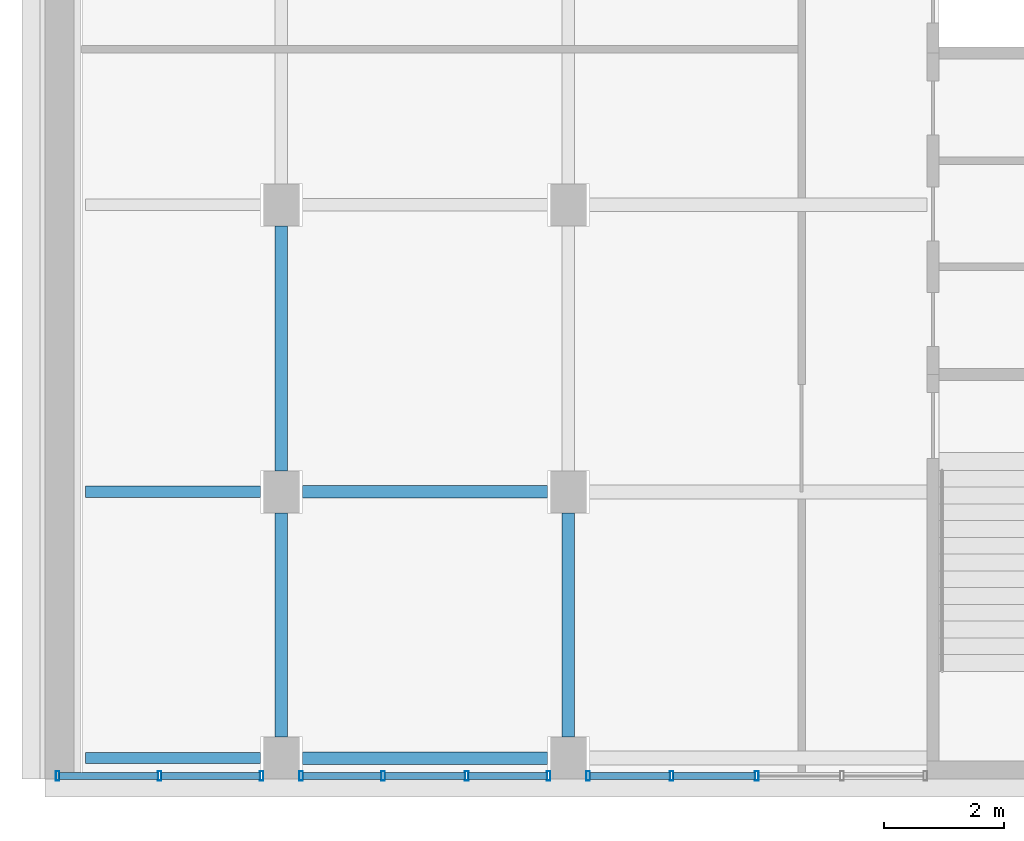
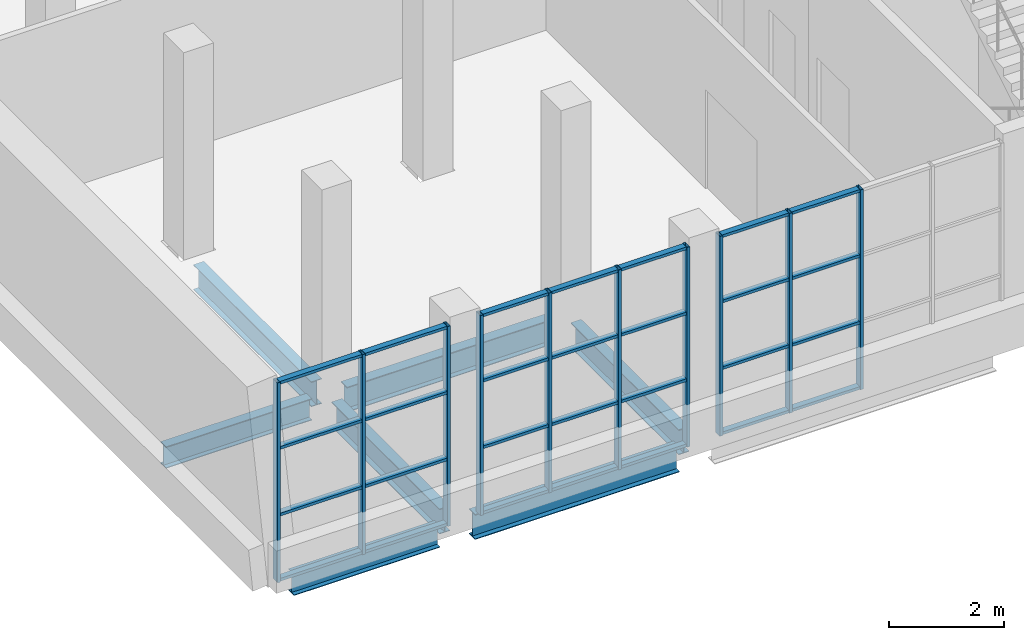
# One storey, part 2 of 32: 38 members, 7 beams, 3 elements without a shape of their own.
"""IFC4 building model written with IfcOpenShell, lengths in metres."""

from ifc_helpers import new_model, si_unit, direction, frame, origin, origin_2d, place, context, subcontext, project, spatial, hollow_rectangle, i_section, extrude, material, layer, layer_set, material_profile, profile_set, type_object, element, aggregate, save


model = new_model("IFC4")

# Units and contexts
model_context = context("Model", 3, precision=1e-05, world=origin(), true_north=direction((0.0, 1.0)))
body_context = subcontext(model_context, "Body", "Model", "MODEL_VIEW")
ifc_project = project(units=[si_unit("LENGTHUNIT", "METRE"), si_unit("AREAUNIT", "SQUARE_METRE"), si_unit("VOLUMEUNIT", "CUBIC_METRE"), si_unit("PLANEANGLEUNIT", "RADIAN"), si_unit("MASSUNIT", "GRAM", prefix="KILO")], contexts=[model_context])

# Site, building, storey
site_placement = place(None, origin())
site = spatial("IfcSite", under=ifc_project, at=site_placement, CompositionType="ELEMENT")
building_placement = place(site_placement, origin())
building = spatial("IfcBuilding", under=site, at=building_placement, Name="Baori Bourse Tower", CompositionType="ELEMENT")
storey_placement = place(building_placement, frame((0.0, 0.0, 21.39990234375)))
storey = spatial("IfcBuildingStorey", under=building, at=storey_placement, Name="L03", CompositionType="ELEMENT", Elevation=21.39990234375)

# Beams
ifc_material_1 = material(Name="Steel A992 Gr 50", Category="steel")
ifc_material_profile_1 = material_profile(ifc_material_1, i_section(OverallWidth=0.1904296875, OverallDepth=0.457275390625, WebThickness=0.009033203125, FlangeThickness=0.014404296875, at=origin_2d()), Name="W18x50")
ifc_profile_set_1 = profile_set([ifc_material_profile_1], Name="Steel A992 Gr 50")
beam_type_1 = type_object("IfcBeamType", Name="Wing beam W18x50", PredefinedType="BEAM", material=ifc_profile_set_1)
for number, where, z_axis, x_axis, name in (
    (1, (-17.6767578125, -24.85009765625, -0.388427734375), (1.0, 0.0, 0.0), (0.0, 1.0, 0.0), "wing/L03/Wbeam/001"),
    (2, (-17.6767578125, -20.39990234375, -0.388427734375), (1.0, 0.0, 0.0), (0.0, 1.0, 0.0), "wing/L03/Wbeam/004"),
):
    element("IfcBeam", number, at=place(storey_placement, frame(where, z_axis=z_axis, x_axis=x_axis)), inside=storey, type_object=beam_type_1, Name=name, PredefinedType="BEAM", context=body_context, shape_type="SweptSolid", body=[
        extrude(i_section(OverallWidth=0.1904296875, OverallDepth=0.457275390625, WebThickness=0.009033203125, FlangeThickness=0.014404296875, at=origin_2d()), origin(), (0.0, 0.0, 1.0), 2.9267578125),
    ])
ifc_material_2 = material(Name="Steel A992 Gr 50", Category="steel")
ifc_material_profile_2 = material_profile(ifc_material_2, i_section(OverallWidth=0.209228515625, OverallDepth=0.533447265625, WebThickness=0.01025390625, FlangeThickness=0.015625, at=origin_2d()), Name="W21x62")
ifc_profile_set_2 = profile_set([ifc_material_profile_2], Name="Steel A992 Gr 50")
beam_type_2 = type_object("IfcBeamType", Name="Wing beam W21x62", PredefinedType="BEAM", material=ifc_profile_set_2)
for number, where, z_axis, x_axis, name in (
    (3, (-14.050048828125, -24.85009765625, -0.426513671875), (1.0, 0.0, 0.0), (0.0, 1.0, 0.0), "wing/L03/Wbeam/002"),
    (4, (-14.050048828125, -20.39990234375, -0.426513671875), (1.0, 0.0, 0.0), (0.0, 1.0, 0.0), "wing/L03/Wbeam/005"),
):
    element("IfcBeam", number, at=place(storey_placement, frame(where, z_axis=z_axis, x_axis=x_axis)), inside=storey, type_object=beam_type_2, Name=name, PredefinedType="BEAM", context=body_context, shape_type="SweptSolid", body=[
        extrude(i_section(OverallWidth=0.209228515625, OverallDepth=0.533447265625, WebThickness=0.01025390625, FlangeThickness=0.015625, at=origin_2d()), origin(), (0.0, 0.0, 1.0), 4.10009765625),
    ])
beam_1_placement = place(storey_placement, frame((-14.39990234375, -24.5, -0.426513671875), z_axis=(0.0, 1.0, 0.0), x_axis=(-1.0, 0.0, 0.0)))
element("IfcBeam", 5, at=beam_1_placement, inside=storey, type_object=beam_type_2, Name="wing/L03/Wbeamy/001", PredefinedType="BEAM", context=body_context, shape_type="SweptSolid", body=[
    extrude(i_section(OverallWidth=0.209228515625, OverallDepth=0.533447265625, WebThickness=0.01025390625, FlangeThickness=0.015625, at=origin_2d()), origin(), (0.0, 0.0, 1.0), 3.75),
])
beam_2_placement = place(storey_placement, frame((-14.39990234375, -20.050048828125, -0.426513671875), z_axis=(0.0, 1.0, 0.0), x_axis=(-1.0, 0.0, 0.0)))
element("IfcBeam", 6, at=beam_2_placement, inside=storey, type_object=beam_type_2, Name="wing/L03/Wbeamy/002", PredefinedType="BEAM", context=body_context, shape_type="SweptSolid", body=[
    extrude(i_section(OverallWidth=0.209228515625, OverallDepth=0.533447265625, WebThickness=0.01025390625, FlangeThickness=0.015625, at=origin_2d()), origin(), (0.0, 0.0, 1.0), 4.10009765625),
])
beam_3_placement = place(storey_placement, frame((-9.60009765625, -24.5, -0.426513671875), z_axis=(0.0, 1.0, 0.0), x_axis=(-1.0, 0.0, 0.0)))
element("IfcBeam", 7, at=beam_3_placement, inside=storey, type_object=beam_type_2, Name="wing/L03/Wbeamy/006", PredefinedType="BEAM", context=body_context, shape_type="SweptSolid", body=[
    extrude(i_section(OverallWidth=0.209228515625, OverallDepth=0.533447265625, WebThickness=0.01025390625, FlangeThickness=0.015625, at=origin_2d()), origin(), (0.0, 0.0, 1.0), 3.75),
])

# Curtain wall, members
ifc_material_3 = material(Name="Pale anodised aluminium", Category="aluminium")
ifc_layer = layer(ifc_material_3, 0.10009765625)
ifc_layer_set = layer_set([ifc_layer], Name="Wing curtain wall")
curtain_wall_type = type_object("IfcCurtainWallType", Name="Wing curtain wall", PredefinedType="NOTDEFINED", material=ifc_layer_set)
curtain_wall_1_placement = place(storey_placement, origin())
curtain_wall_1 = element("IfcCurtainWall", 8, at=curtain_wall_1_placement, inside=storey, type_object=curtain_wall_type, Name="wing/L03/Wcw/001", PredefinedType="NOTDEFINED")
ifc_material_4 = material(Name="Pale anodised aluminium", Category="aluminium")
ifc_material_profile_3 = material_profile(ifc_material_4, hollow_rectangle(XDim=0.159912109375, YDim=0.06005859375, WallThickness=0.0048828125, at=origin_2d()), Name="Mullion 160x60x5")
ifc_profile_set_3 = profile_set([ifc_material_profile_3], Name="Pale anodised aluminium")
member_type_1 = type_object("IfcMemberType", Name="Wing mullion 60x160", PredefinedType="MULLION", material=ifc_profile_set_3)
member_1_placement = place(storey_placement, frame((-18.1435546875, -25.14990234375, 0.0), z_axis=(0.0, 0.0, 1.0), x_axis=(0.0, 1.0, 0.0)))
member_1 = element("IfcMember", 9, at=member_1_placement, type_object=member_type_1, Name="X12 mullion 1", PredefinedType="MULLION", context=body_context, shape_type="SweptSolid", body=[
    extrude(hollow_rectangle(XDim=0.159912109375, YDim=0.06005859375, WallThickness=0.0048828125, at=origin_2d()), origin(), (0.0, 0.0, 1.0), 4.239990234375),
])
member_2_placement = place(storey_placement, frame((-16.436767578125, -25.14990234375, 0.0), z_axis=(0.0, 0.0, 1.0), x_axis=(0.0, 1.0, 0.0)))
member_2 = element("IfcMember", 10, at=member_2_placement, type_object=member_type_1, Name="X12 mullion 2", PredefinedType="MULLION", context=body_context, shape_type="SweptSolid", body=[
    extrude(hollow_rectangle(XDim=0.159912109375, YDim=0.06005859375, WallThickness=0.0048828125, at=origin_2d()), origin(), (0.0, 0.0, 1.0), 4.239990234375),
])
member_3_placement = place(storey_placement, frame((-14.72998046875, -25.14990234375, 0.0), z_axis=(0.0, 0.0, 1.0), x_axis=(0.0, 1.0, 0.0)))
member_3 = element("IfcMember", 11, at=member_3_placement, type_object=member_type_1, Name="X12 mullion 3", PredefinedType="MULLION", context=body_context, shape_type="SweptSolid", body=[
    extrude(hollow_rectangle(XDim=0.159912109375, YDim=0.06005859375, WallThickness=0.0048828125, at=origin_2d()), origin(), (0.0, 0.0, 1.0), 4.239990234375),
])

curtain_wall_2_placement = place(storey_placement, origin())
curtain_wall_2 = element("IfcCurtainWall", 12, at=curtain_wall_2_placement, inside=storey, type_object=curtain_wall_type, Name="wing/L03/Wcw/002", PredefinedType="NOTDEFINED")
member_4_placement = place(storey_placement, frame((-14.070068359375, -25.14990234375, 0.0), z_axis=(0.0, 0.0, 1.0), x_axis=(0.0, 1.0, 0.0)))
member_4 = element("IfcMember", 13, at=member_4_placement, type_object=member_type_1, Name="X12 mullion 1", PredefinedType="MULLION", context=body_context, shape_type="SweptSolid", body=[
    extrude(hollow_rectangle(XDim=0.159912109375, YDim=0.06005859375, WallThickness=0.0048828125, at=origin_2d()), origin(), (0.0, 0.0, 1.0), 4.239990234375),
])
member_5_placement = place(storey_placement, frame((-12.699951171875, -25.14990234375, 0.0), z_axis=(0.0, 0.0, 1.0), x_axis=(0.0, 1.0, 0.0)))
member_5 = element("IfcMember", 14, at=member_5_placement, type_object=member_type_1, Name="X12 mullion 2", PredefinedType="MULLION", context=body_context, shape_type="SweptSolid", body=[
    extrude(hollow_rectangle(XDim=0.159912109375, YDim=0.06005859375, WallThickness=0.0048828125, at=origin_2d()), origin(), (0.0, 0.0, 1.0), 4.239990234375),
])
member_6_placement = place(storey_placement, frame((-11.300048828125, -25.14990234375, 0.0), z_axis=(0.0, 0.0, 1.0), x_axis=(0.0, 1.0, 0.0)))
member_6 = element("IfcMember", 15, at=member_6_placement, type_object=member_type_1, Name="X12 mullion 3", PredefinedType="MULLION", context=body_context, shape_type="SweptSolid", body=[
    extrude(hollow_rectangle(XDim=0.159912109375, YDim=0.06005859375, WallThickness=0.0048828125, at=origin_2d()), origin(), (0.0, 0.0, 1.0), 4.239990234375),
])
member_7_placement = place(storey_placement, frame((-9.929931640625, -25.14990234375, 0.0), z_axis=(0.0, 0.0, 1.0), x_axis=(0.0, 1.0, 0.0)))
member_7 = element("IfcMember", 16, at=member_7_placement, type_object=member_type_1, Name="X12 mullion 4", PredefinedType="MULLION", context=body_context, shape_type="SweptSolid", body=[
    extrude(hollow_rectangle(XDim=0.159912109375, YDim=0.06005859375, WallThickness=0.0048828125, at=origin_2d()), origin(), (0.0, 0.0, 1.0), 4.239990234375),
])

curtain_wall_3_placement = place(storey_placement, origin())
curtain_wall_3 = element("IfcCurtainWall", 17, at=curtain_wall_3_placement, inside=storey, type_object=curtain_wall_type, Name="wing/L03/Wcw/003", PredefinedType="NOTDEFINED")
member_8_placement = place(storey_placement, frame((-9.27001953125, -25.14990234375, 0.0), z_axis=(0.0, 0.0, 1.0), x_axis=(0.0, 1.0, 0.0)))
member_8 = element("IfcMember", 18, at=member_8_placement, type_object=member_type_1, Name="X12 mullion 1", PredefinedType="MULLION", context=body_context, shape_type="SweptSolid", body=[
    extrude(hollow_rectangle(XDim=0.159912109375, YDim=0.06005859375, WallThickness=0.0048828125, at=origin_2d()), origin(), (0.0, 0.0, 1.0), 4.239990234375),
])
member_9_placement = place(storey_placement, frame((-7.875, -25.14990234375, 0.0), z_axis=(0.0, 0.0, 1.0), x_axis=(0.0, 1.0, 0.0)))
member_9 = element("IfcMember", 19, at=member_9_placement, type_object=member_type_1, Name="X12 mullion 2", PredefinedType="MULLION", context=body_context, shape_type="SweptSolid", body=[
    extrude(hollow_rectangle(XDim=0.159912109375, YDim=0.06005859375, WallThickness=0.0048828125, at=origin_2d()), origin(), (0.0, 0.0, 1.0), 4.239990234375),
])
member_10_placement = place(storey_placement, frame((-6.449951171875, -25.14990234375, 0.0), z_axis=(0.0, 0.0, 1.0), x_axis=(0.0, 1.0, 0.0)))
member_10 = element("IfcMember", 20, at=member_10_placement, type_object=member_type_1, Name="X12 mullion 3", PredefinedType="MULLION", context=body_context, shape_type="SweptSolid", body=[
    extrude(hollow_rectangle(XDim=0.159912109375, YDim=0.06005859375, WallThickness=0.0048828125, at=origin_2d()), origin(), (0.0, 0.0, 1.0), 4.239990234375),
])

# Member
ifc_material_5 = material(Name="Pale anodised aluminium", Category="aluminium")
ifc_material_profile_4 = material_profile(ifc_material_5, hollow_rectangle(XDim=0.1201171875, YDim=0.06005859375, WallThickness=0.0048828125, at=origin_2d()), Name="Transom 120x60x5")
ifc_profile_set_4 = profile_set([ifc_material_profile_4], Name="Pale anodised aluminium")
member_type_2 = type_object("IfcMemberType", Name="Wing transom 120x60", PredefinedType="USERDEFINED", material=ifc_profile_set_4)
member_11_placement = place(storey_placement, frame((-18.113525390625, -25.14990234375, 0.030029296875), z_axis=(1.0, 0.0, 0.0), x_axis=(0.0, 1.0, 0.0)))
member_11 = element("IfcMember", 21, at=member_11_placement, type_object=member_type_2, Name="X12 transom 1.1", ObjectType="TRANSOM", PredefinedType="USERDEFINED", context=body_context, shape_type="SweptSolid", body=[
    extrude(hollow_rectangle(XDim=0.1201171875, YDim=0.06005859375, WallThickness=0.0048828125, at=origin_2d()), origin(), (0.0, 0.0, 1.0), 1.646728515625),
])

member_12_placement = place(storey_placement, frame((-18.113525390625, -25.14990234375, 1.413330078125), z_axis=(1.0, 0.0, 0.0), x_axis=(0.0, 1.0, 0.0)))
member_12 = element("IfcMember", 22, at=member_12_placement, type_object=member_type_2, Name="X12 transom 1.2", ObjectType="TRANSOM", PredefinedType="USERDEFINED", context=body_context, shape_type="SweptSolid", body=[
    extrude(hollow_rectangle(XDim=0.1201171875, YDim=0.06005859375, WallThickness=0.0048828125, at=origin_2d()), origin(), (0.0, 0.0, 1.0), 1.646728515625),
])

member_13_placement = place(storey_placement, frame((-18.113525390625, -25.14990234375, 2.82666015625), z_axis=(1.0, 0.0, 0.0), x_axis=(0.0, 1.0, 0.0)))
member_13 = element("IfcMember", 23, at=member_13_placement, type_object=member_type_2, Name="X12 transom 1.3", ObjectType="TRANSOM", PredefinedType="USERDEFINED", context=body_context, shape_type="SweptSolid", body=[
    extrude(hollow_rectangle(XDim=0.1201171875, YDim=0.06005859375, WallThickness=0.0048828125, at=origin_2d()), origin(), (0.0, 0.0, 1.0), 1.646728515625),
])

member_14_placement = place(storey_placement, frame((-18.113525390625, -25.14990234375, 4.210205078125), z_axis=(1.0, 0.0, 0.0), x_axis=(0.0, 1.0, 0.0)))
member_14 = element("IfcMember", 24, at=member_14_placement, type_object=member_type_2, Name="X12 transom 1.4", ObjectType="TRANSOM", PredefinedType="USERDEFINED", context=body_context, shape_type="SweptSolid", body=[
    extrude(hollow_rectangle(XDim=0.1201171875, YDim=0.06005859375, WallThickness=0.0048828125, at=origin_2d()), origin(), (0.0, 0.0, 1.0), 1.646728515625),
])

member_15_placement = place(storey_placement, frame((-16.40673828125, -25.14990234375, 0.030029296875), z_axis=(1.0, 0.0, 0.0), x_axis=(0.0, 1.0, 0.0)))
member_15 = element("IfcMember", 25, at=member_15_placement, type_object=member_type_2, Name="X12 transom 2.1", ObjectType="TRANSOM", PredefinedType="USERDEFINED", context=body_context, shape_type="SweptSolid", body=[
    extrude(hollow_rectangle(XDim=0.1201171875, YDim=0.06005859375, WallThickness=0.0048828125, at=origin_2d()), origin(), (0.0, 0.0, 1.0), 1.646728515625),
])

member_16_placement = place(storey_placement, frame((-16.40673828125, -25.14990234375, 1.413330078125), z_axis=(1.0, 0.0, 0.0), x_axis=(0.0, 1.0, 0.0)))
member_16 = element("IfcMember", 26, at=member_16_placement, type_object=member_type_2, Name="X12 transom 2.2", ObjectType="TRANSOM", PredefinedType="USERDEFINED", context=body_context, shape_type="SweptSolid", body=[
    extrude(hollow_rectangle(XDim=0.1201171875, YDim=0.06005859375, WallThickness=0.0048828125, at=origin_2d()), origin(), (0.0, 0.0, 1.0), 1.646728515625),
])

member_17_placement = place(storey_placement, frame((-16.40673828125, -25.14990234375, 2.82666015625), z_axis=(1.0, 0.0, 0.0), x_axis=(0.0, 1.0, 0.0)))
member_17 = element("IfcMember", 27, at=member_17_placement, type_object=member_type_2, Name="X12 transom 2.3", ObjectType="TRANSOM", PredefinedType="USERDEFINED", context=body_context, shape_type="SweptSolid", body=[
    extrude(hollow_rectangle(XDim=0.1201171875, YDim=0.06005859375, WallThickness=0.0048828125, at=origin_2d()), origin(), (0.0, 0.0, 1.0), 1.646728515625),
])

member_18_placement = place(storey_placement, frame((-16.40673828125, -25.14990234375, 4.210205078125), z_axis=(1.0, 0.0, 0.0), x_axis=(0.0, 1.0, 0.0)))
member_18 = element("IfcMember", 28, at=member_18_placement, type_object=member_type_2, Name="X12 transom 2.4", ObjectType="TRANSOM", PredefinedType="USERDEFINED", context=body_context, shape_type="SweptSolid", body=[
    extrude(hollow_rectangle(XDim=0.1201171875, YDim=0.06005859375, WallThickness=0.0048828125, at=origin_2d()), origin(), (0.0, 0.0, 1.0), 1.646728515625),
])

aggregate(curtain_wall_1, [member_1, member_2, member_3, member_11, member_12, member_13, member_14, member_15, member_16, member_17, member_18])

member_19_placement = place(storey_placement, frame((-14.0400390625, -25.14990234375, 0.030029296875), z_axis=(1.0, 0.0, 0.0), x_axis=(0.0, 1.0, 0.0)))
member_19 = element("IfcMember", 29, at=member_19_placement, type_object=member_type_2, Name="X12 transom 1.1", ObjectType="TRANSOM", PredefinedType="USERDEFINED", context=body_context, shape_type="SweptSolid", body=[
    extrude(hollow_rectangle(XDim=0.1201171875, YDim=0.06005859375, WallThickness=0.0048828125, at=origin_2d()), origin(), (0.0, 0.0, 1.0), 1.31005859375),
])

member_20_placement = place(storey_placement, frame((-14.0400390625, -25.14990234375, 1.413330078125), z_axis=(1.0, 0.0, 0.0), x_axis=(0.0, 1.0, 0.0)))
member_20 = element("IfcMember", 30, at=member_20_placement, type_object=member_type_2, Name="X12 transom 1.2", ObjectType="TRANSOM", PredefinedType="USERDEFINED", context=body_context, shape_type="SweptSolid", body=[
    extrude(hollow_rectangle(XDim=0.1201171875, YDim=0.06005859375, WallThickness=0.0048828125, at=origin_2d()), origin(), (0.0, 0.0, 1.0), 1.31005859375),
])

member_21_placement = place(storey_placement, frame((-14.0400390625, -25.14990234375, 2.82666015625), z_axis=(1.0, 0.0, 0.0), x_axis=(0.0, 1.0, 0.0)))
member_21 = element("IfcMember", 31, at=member_21_placement, type_object=member_type_2, Name="X12 transom 1.3", ObjectType="TRANSOM", PredefinedType="USERDEFINED", context=body_context, shape_type="SweptSolid", body=[
    extrude(hollow_rectangle(XDim=0.1201171875, YDim=0.06005859375, WallThickness=0.0048828125, at=origin_2d()), origin(), (0.0, 0.0, 1.0), 1.31005859375),
])

member_22_placement = place(storey_placement, frame((-14.0400390625, -25.14990234375, 4.210205078125), z_axis=(1.0, 0.0, 0.0), x_axis=(0.0, 1.0, 0.0)))
member_22 = element("IfcMember", 32, at=member_22_placement, type_object=member_type_2, Name="X12 transom 1.4", ObjectType="TRANSOM", PredefinedType="USERDEFINED", context=body_context, shape_type="SweptSolid", body=[
    extrude(hollow_rectangle(XDim=0.1201171875, YDim=0.06005859375, WallThickness=0.0048828125, at=origin_2d()), origin(), (0.0, 0.0, 1.0), 1.31005859375),
])

member_23_placement = place(storey_placement, frame((-12.669921875, -25.14990234375, 0.030029296875), z_axis=(1.0, 0.0, 0.0), x_axis=(0.0, 1.0, 0.0)))
member_23 = element("IfcMember", 33, at=member_23_placement, type_object=member_type_2, Name="X12 transom 2.1", ObjectType="TRANSOM", PredefinedType="USERDEFINED", context=body_context, shape_type="SweptSolid", body=[
    extrude(hollow_rectangle(XDim=0.1201171875, YDim=0.06005859375, WallThickness=0.0048828125, at=origin_2d()), origin(), (0.0, 0.0, 1.0), 1.33984375),
])

member_24_placement = place(storey_placement, frame((-12.669921875, -25.14990234375, 1.413330078125), z_axis=(1.0, 0.0, 0.0), x_axis=(0.0, 1.0, 0.0)))
member_24 = element("IfcMember", 34, at=member_24_placement, type_object=member_type_2, Name="X12 transom 2.2", ObjectType="TRANSOM", PredefinedType="USERDEFINED", context=body_context, shape_type="SweptSolid", body=[
    extrude(hollow_rectangle(XDim=0.1201171875, YDim=0.06005859375, WallThickness=0.0048828125, at=origin_2d()), origin(), (0.0, 0.0, 1.0), 1.33984375),
])

member_25_placement = place(storey_placement, frame((-12.669921875, -25.14990234375, 2.82666015625), z_axis=(1.0, 0.0, 0.0), x_axis=(0.0, 1.0, 0.0)))
member_25 = element("IfcMember", 35, at=member_25_placement, type_object=member_type_2, Name="X12 transom 2.3", ObjectType="TRANSOM", PredefinedType="USERDEFINED", context=body_context, shape_type="SweptSolid", body=[
    extrude(hollow_rectangle(XDim=0.1201171875, YDim=0.06005859375, WallThickness=0.0048828125, at=origin_2d()), origin(), (0.0, 0.0, 1.0), 1.33984375),
])

member_26_placement = place(storey_placement, frame((-12.669921875, -25.14990234375, 4.210205078125), z_axis=(1.0, 0.0, 0.0), x_axis=(0.0, 1.0, 0.0)))
member_26 = element("IfcMember", 36, at=member_26_placement, type_object=member_type_2, Name="X12 transom 2.4", ObjectType="TRANSOM", PredefinedType="USERDEFINED", context=body_context, shape_type="SweptSolid", body=[
    extrude(hollow_rectangle(XDim=0.1201171875, YDim=0.06005859375, WallThickness=0.0048828125, at=origin_2d()), origin(), (0.0, 0.0, 1.0), 1.33984375),
])

member_27_placement = place(storey_placement, frame((-11.27001953125, -25.14990234375, 0.030029296875), z_axis=(1.0, 0.0, 0.0), x_axis=(0.0, 1.0, 0.0)))
member_27 = element("IfcMember", 37, at=member_27_placement, type_object=member_type_2, Name="X12 transom 3.1", ObjectType="TRANSOM", PredefinedType="USERDEFINED", context=body_context, shape_type="SweptSolid", body=[
    extrude(hollow_rectangle(XDim=0.1201171875, YDim=0.06005859375, WallThickness=0.0048828125, at=origin_2d()), origin(), (0.0, 0.0, 1.0), 1.31005859375),
])

member_28_placement = place(storey_placement, frame((-11.27001953125, -25.14990234375, 1.413330078125), z_axis=(1.0, 0.0, 0.0), x_axis=(0.0, 1.0, 0.0)))
member_28 = element("IfcMember", 38, at=member_28_placement, type_object=member_type_2, Name="X12 transom 3.2", ObjectType="TRANSOM", PredefinedType="USERDEFINED", context=body_context, shape_type="SweptSolid", body=[
    extrude(hollow_rectangle(XDim=0.1201171875, YDim=0.06005859375, WallThickness=0.0048828125, at=origin_2d()), origin(), (0.0, 0.0, 1.0), 1.31005859375),
])

member_29_placement = place(storey_placement, frame((-11.27001953125, -25.14990234375, 2.82666015625), z_axis=(1.0, 0.0, 0.0), x_axis=(0.0, 1.0, 0.0)))
member_29 = element("IfcMember", 39, at=member_29_placement, type_object=member_type_2, Name="X12 transom 3.3", ObjectType="TRANSOM", PredefinedType="USERDEFINED", context=body_context, shape_type="SweptSolid", body=[
    extrude(hollow_rectangle(XDim=0.1201171875, YDim=0.06005859375, WallThickness=0.0048828125, at=origin_2d()), origin(), (0.0, 0.0, 1.0), 1.31005859375),
])

member_30_placement = place(storey_placement, frame((-11.27001953125, -25.14990234375, 4.210205078125), z_axis=(1.0, 0.0, 0.0), x_axis=(0.0, 1.0, 0.0)))
member_30 = element("IfcMember", 40, at=member_30_placement, type_object=member_type_2, Name="X12 transom 3.4", ObjectType="TRANSOM", PredefinedType="USERDEFINED", context=body_context, shape_type="SweptSolid", body=[
    extrude(hollow_rectangle(XDim=0.1201171875, YDim=0.06005859375, WallThickness=0.0048828125, at=origin_2d()), origin(), (0.0, 0.0, 1.0), 1.31005859375),
])

aggregate(curtain_wall_2, [member_4, member_5, member_6, member_7, member_19, member_20, member_21, member_22, member_23, member_24, member_25, member_26, member_27, member_28, member_29, member_30])

member_31_placement = place(storey_placement, frame((-9.239990234375, -25.14990234375, 0.030029296875), z_axis=(1.0, 0.0, 0.0), x_axis=(0.0, 1.0, 0.0)))
member_31 = element("IfcMember", 41, at=member_31_placement, type_object=member_type_2, Name="X12 transom 1.1", ObjectType="TRANSOM", PredefinedType="USERDEFINED", context=body_context, shape_type="SweptSolid", body=[
    extrude(hollow_rectangle(XDim=0.1201171875, YDim=0.06005859375, WallThickness=0.0048828125, at=origin_2d()), origin(), (0.0, 0.0, 1.0), 1.3349609375),
])

member_32_placement = place(storey_placement, frame((-9.239990234375, -25.14990234375, 1.413330078125), z_axis=(1.0, 0.0, 0.0), x_axis=(0.0, 1.0, 0.0)))
member_32 = element("IfcMember", 42, at=member_32_placement, type_object=member_type_2, Name="X12 transom 1.2", ObjectType="TRANSOM", PredefinedType="USERDEFINED", context=body_context, shape_type="SweptSolid", body=[
    extrude(hollow_rectangle(XDim=0.1201171875, YDim=0.06005859375, WallThickness=0.0048828125, at=origin_2d()), origin(), (0.0, 0.0, 1.0), 1.3349609375),
])

member_33_placement = place(storey_placement, frame((-9.239990234375, -25.14990234375, 2.82666015625), z_axis=(1.0, 0.0, 0.0), x_axis=(0.0, 1.0, 0.0)))
member_33 = element("IfcMember", 43, at=member_33_placement, type_object=member_type_2, Name="X12 transom 1.3", ObjectType="TRANSOM", PredefinedType="USERDEFINED", context=body_context, shape_type="SweptSolid", body=[
    extrude(hollow_rectangle(XDim=0.1201171875, YDim=0.06005859375, WallThickness=0.0048828125, at=origin_2d()), origin(), (0.0, 0.0, 1.0), 1.3349609375),
])

member_34_placement = place(storey_placement, frame((-9.239990234375, -25.14990234375, 4.210205078125), z_axis=(1.0, 0.0, 0.0), x_axis=(0.0, 1.0, 0.0)))
member_34 = element("IfcMember", 44, at=member_34_placement, type_object=member_type_2, Name="X12 transom 1.4", ObjectType="TRANSOM", PredefinedType="USERDEFINED", context=body_context, shape_type="SweptSolid", body=[
    extrude(hollow_rectangle(XDim=0.1201171875, YDim=0.06005859375, WallThickness=0.0048828125, at=origin_2d()), origin(), (0.0, 0.0, 1.0), 1.3349609375),
])

member_35_placement = place(storey_placement, frame((-7.844970703125, -25.14990234375, 0.030029296875), z_axis=(1.0, 0.0, 0.0), x_axis=(0.0, 1.0, 0.0)))
member_35 = element("IfcMember", 45, at=member_35_placement, type_object=member_type_2, Name="X12 transom 2.1", ObjectType="TRANSOM", PredefinedType="USERDEFINED", context=body_context, shape_type="SweptSolid", body=[
    extrude(hollow_rectangle(XDim=0.1201171875, YDim=0.06005859375, WallThickness=0.0048828125, at=origin_2d()), origin(), (0.0, 0.0, 1.0), 1.364990234375),
])

member_36_placement = place(storey_placement, frame((-7.844970703125, -25.14990234375, 1.413330078125), z_axis=(1.0, 0.0, 0.0), x_axis=(0.0, 1.0, 0.0)))
member_36 = element("IfcMember", 46, at=member_36_placement, type_object=member_type_2, Name="X12 transom 2.2", ObjectType="TRANSOM", PredefinedType="USERDEFINED", context=body_context, shape_type="SweptSolid", body=[
    extrude(hollow_rectangle(XDim=0.1201171875, YDim=0.06005859375, WallThickness=0.0048828125, at=origin_2d()), origin(), (0.0, 0.0, 1.0), 1.364990234375),
])

member_37_placement = place(storey_placement, frame((-7.844970703125, -25.14990234375, 2.82666015625), z_axis=(1.0, 0.0, 0.0), x_axis=(0.0, 1.0, 0.0)))
member_37 = element("IfcMember", 47, at=member_37_placement, type_object=member_type_2, Name="X12 transom 2.3", ObjectType="TRANSOM", PredefinedType="USERDEFINED", context=body_context, shape_type="SweptSolid", body=[
    extrude(hollow_rectangle(XDim=0.1201171875, YDim=0.06005859375, WallThickness=0.0048828125, at=origin_2d()), origin(), (0.0, 0.0, 1.0), 1.364990234375),
])

member_38_placement = place(storey_placement, frame((-7.844970703125, -25.14990234375, 4.210205078125), z_axis=(1.0, 0.0, 0.0), x_axis=(0.0, 1.0, 0.0)))
member_38 = element("IfcMember", 48, at=member_38_placement, type_object=member_type_2, Name="X12 transom 2.4", ObjectType="TRANSOM", PredefinedType="USERDEFINED", context=body_context, shape_type="SweptSolid", body=[
    extrude(hollow_rectangle(XDim=0.1201171875, YDim=0.06005859375, WallThickness=0.0048828125, at=origin_2d()), origin(), (0.0, 0.0, 1.0), 1.364990234375),
])

aggregate(curtain_wall_3, [member_8, member_9, member_10, member_31, member_32, member_33, member_34, member_35, member_36, member_37, member_38])

save(model, "model.ifc")
